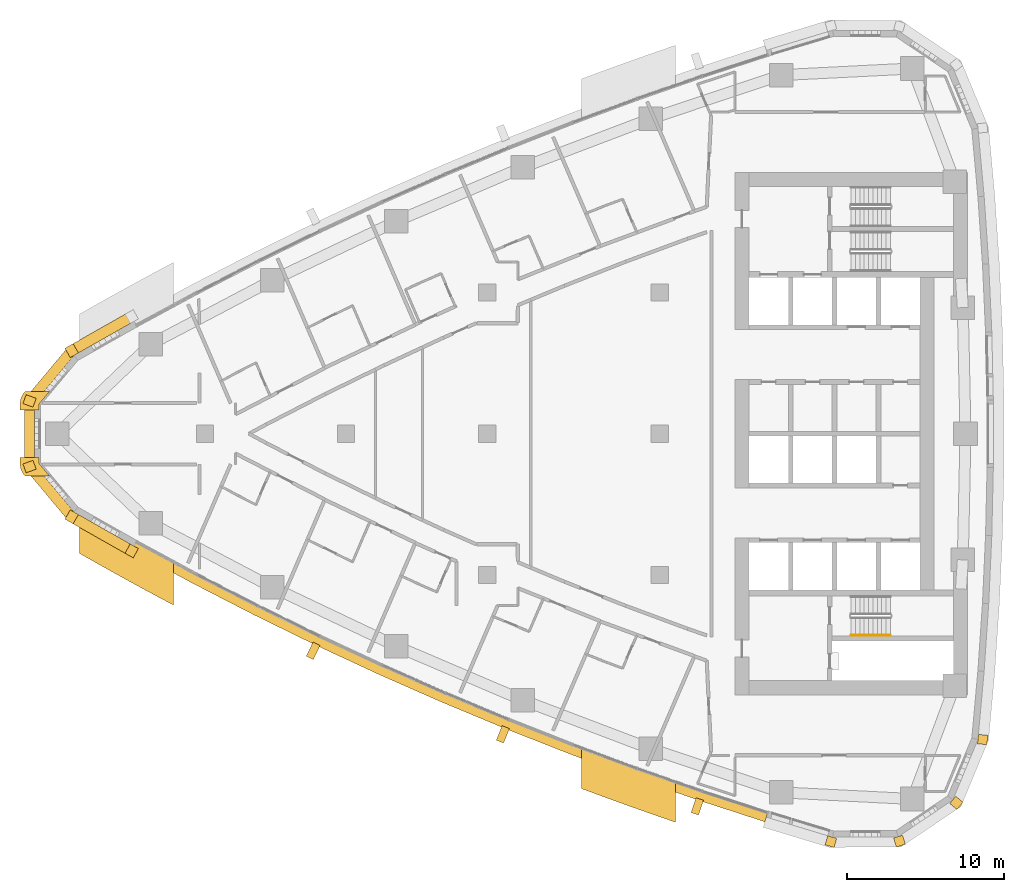
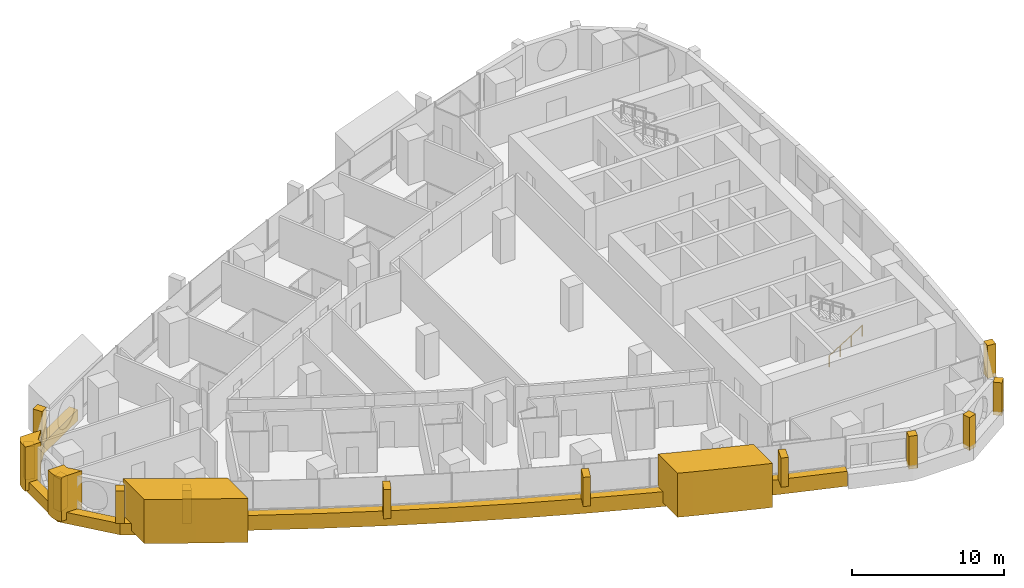
# One storey, part 14 of 17: 18 coverings, 1 railing.
"""IFC4 building model written with IfcOpenShell, lengths in metres."""

from ifc_helpers import new_model, si_unit, direction, frame, frame_2d, origin, origin_2d, place, context, subcontext, project, spatial, polyline, rectangle, circle, outline, extrude, material, layer, layer_set, type_object, element, save


model = new_model("IFC4")

# Units and contexts
model_context = context("Model", 3, precision=1e-05, world=origin(), true_north=direction((0.0, 1.0)))
body_context = subcontext(model_context, "Body", "Model", "MODEL_VIEW")
ifc_project = project(units=[si_unit("LENGTHUNIT", "METRE"), si_unit("AREAUNIT", "SQUARE_METRE"), si_unit("VOLUMEUNIT", "CUBIC_METRE"), si_unit("PLANEANGLEUNIT", "RADIAN"), si_unit("MASSUNIT", "GRAM", prefix="KILO")], contexts=[model_context])

# Site, building, storey
site_placement = place(None, origin())
site = spatial("IfcSite", under=ifc_project, at=site_placement, CompositionType="ELEMENT")
building_placement = place(site_placement, origin())
building = spatial("IfcBuilding", under=site, at=building_placement, Name="Ostrand Prow Hotel Tower", CompositionType="ELEMENT")
storey_placement = place(building_placement, frame((0.0, 0.0, 151.5)))
storey = spatial("IfcBuildingStorey", under=building, at=storey_placement, Name="L37", CompositionType="ELEMENT", Elevation=151.5)

# Coverings
ifc_material_1 = material(Name="Bronze anodised aluminium cladding", Category="aluminium")
ifc_layer_1 = layer(ifc_material_1, 0.60009765625)
ifc_layer_set_1 = layer_set([ifc_layer_1], Name="Bronze anodised aluminium cladding")
covering_type_1 = type_object("IfcCoveringType", Name="Bronze prow band 899x600", PredefinedType="CLADDING", material=ifc_layer_set_1)
covering_1_placement = place(storey_placement, frame((0.0, 0.0, -0.300048828125)))
element("IfcCovering", 1, at=covering_1_placement, inside=storey, type_object=covering_type_1, Name="Bronze prow band", PredefinedType="CLADDING", context=body_context, shape_type="SweptSolid", body=[
    extrude(outline(polyline([(11.16845703125, 7.766845703125), (7.335205078125, 5.594970703125), (4.5009765625, 2.208251953125), (4.5009765625, -2.208251953125), (7.335205078125, -5.594970703125), (11.16845703125, -7.766845703125), (11.497802734375, -7.171875), (7.676513671875, -5.006591796875), (5.14013671875, -1.97607421875), (5.14013671875, 1.97607421875), (7.676513671875, 5.006591796875), (11.497802734375, 7.171875), (11.16845703125, 7.766845703125)])), origin(), (0.0, 0.0, 1.0), 0.900146484375),
])
ifc_material_2 = material(Name="Bronze anodised aluminium cladding", Category="aluminium")
ifc_layer_2 = layer(ifc_material_2, 0.60009765625)
ifc_layer_set_2 = layer_set([ifc_layer_2], Name="Bronze anodised aluminium cladding")
covering_type_2 = type_object("IfcCoveringType", Name="Bronze spandrel band 1200x600", PredefinedType="CLADDING", material=ifc_layer_set_2)
covering_2_placement = place(storey_placement, frame((0.0, 0.0, -0.300048828125)))
element("IfcCovering", 2, at=covering_2_placement, inside=storey, type_object=covering_type_2, Name="Spandrel band S1", PredefinedType="CLADDING", context=body_context, shape_type="SweptSolid", body=[
    extrude(outline(polyline([(11.3466796875, -7.445068359375), (15.21630859375, -9.535888671875), (19.126953125, -11.548828125), (23.077392578125, -13.482666015625), (27.06591796875, -15.336669921875), (31.091064453125, -17.110107421875), (35.15087890625, -18.80224609375), (39.243896484375, -20.41259765625), (43.368408203125, -21.9404296875), (47.522705078125, -23.385009765625), (51.705322265625, -24.74560546875), (51.88525390625, -24.17333984375), (47.714111328125, -22.81640625), (43.571044921875, -21.375732421875), (39.457763671875, -19.85205078125), (35.376220703125, -18.24609375), (31.327392578125, -16.55859375), (27.3134765625, -14.7900390625), (23.335693359375, -12.941162109375), (19.396240234375, -11.0126953125), (15.49609375, -9.00537109375), (11.63720703125, -6.920166015625), (11.3466796875, -7.445068359375)])), origin(), (0.0, 0.0, 1.0), 1.199951171875),
])
ifc_material_3 = material(Name="Limestone cladding", Category="masonry")
ifc_layer_3 = layer(ifc_material_3, 5.0)
ifc_layer_set_3 = layer_set([ifc_layer_3], Name="Limestone cladding")
covering_type_3 = type_object("IfcCoveringType", Name="Portal jamb pilaster limestone", PredefinedType="CLADDING", material=ifc_layer_set_3)
covering_3_placement = place(storey_placement, origin())
element("IfcCovering", 3, at=covering_3_placement, inside=storey, type_object=covering_type_3, Name="Portal jamb SA L37", PredefinedType="CLADDING", context=body_context, shape_type="SweptSolid", body=[
    extrude(outline(polyline([(8.0, -4.861572265625), (8.0, -7.62939453125), (9.0, -8.1962890625), (10.0, -8.75634765625), (11.0, -9.3095703125), (12.0, -9.856201171875), (13.0, -10.39599609375), (14.0, -10.92919921875), (14.0, -8.208740234375), (13.0, -7.66796875), (12.0, -7.12060546875), (11.0, -6.566162109375), (10.0, -6.0048828125), (9.0, -5.436767578125), (8.0, -4.861572265625)])), origin(), (0.0, 0.0, 1.0), 3.550048828125),
])
covering_4_placement = place(storey_placement, origin())
element("IfcCovering", 4, at=covering_4_placement, inside=storey, type_object=covering_type_3, Name="Portal jamb SB L37", PredefinedType="CLADDING", context=body_context, shape_type="SweptSolid", body=[
    extrude(outline(polyline([(40.0, -20.058349609375), (40.0, -22.622802734375), (41.0, -22.994140625), (42.0, -23.360107421875), (43.0, -23.720458984375), (44.0, -24.075439453125), (45.0, -24.425048828125), (46.0, -24.769287109375), (46.0, -22.231689453125), (45.0, -21.883056640625), (44.0, -21.529296875), (43.0, -21.169921875), (42.0, -20.804931640625), (41.0, -20.434326171875), (40.0, -20.058349609375)])), origin(), (0.0, 0.0, 1.0), 3.550048828125),
])
ifc_material_4 = material(Name="Limestone cladding", Category="masonry")
ifc_layer_4 = layer(ifc_material_4, 0.5)
ifc_layer_set_4 = layer_set([ifc_layer_4], Name="Limestone cladding")
covering_type_4 = type_object("IfcCoveringType", Name="Precast stone fin 500x900", PredefinedType="CLADDING", material=ifc_layer_set_4)
covering_5_placement = place(storey_placement, frame((23.12060546875, -13.392333984375, 0.89990234375), z_axis=(0.0, 0.0, 1.0), x_axis=(-0.430634686673, -0.902526324621, 0.0)))
element("IfcCovering", 5, at=covering_5_placement, inside=storey, type_object=covering_type_4, Name="Stone fin S 4", PredefinedType="CLADDING", context=body_context, shape_type="SweptSolid", body=[
    extrude(rectangle(XDim=1.0, YDim=0.5, at=frame_2d((0.5, 0.0))), origin(), (0.0, 0.0, 1.0), 2.35009765625),
])
covering_6_placement = place(storey_placement, frame((35.188232421875, -18.709716796875, 0.89990234375), z_axis=(0.0, 0.0, 1.0), x_axis=(-0.375302653349, -0.926902324082, 0.0)))
element("IfcCovering", 6, at=covering_6_placement, inside=storey, type_object=covering_type_4, Name="Stone fin S 7", PredefinedType="CLADDING", context=body_context, shape_type="SweptSolid", body=[
    extrude(rectangle(XDim=0.999755859375, YDim=0.5, at=frame_2d((0.5, 0.0))), origin(), (0.0, 0.0, 1.0), 2.35009765625),
])
covering_7_placement = place(storey_placement, frame((47.5546875, -23.290283203125, 0.89990234375), z_axis=(0.0, 0.0, 1.0), x_axis=(-0.319082696504, -0.947726876685, 0.0)))
element("IfcCovering", 7, at=covering_7_placement, inside=storey, type_object=covering_type_4, Name="Stone fin S 10", PredefinedType="CLADDING", context=body_context, shape_type="SweptSolid", body=[
    extrude(rectangle(XDim=1.0, YDim=0.5, at=frame_2d((0.5, 0.0))), origin(), (0.0, 0.0, 1.0), 2.35009765625),
])
ifc_material_5 = material(Name="Limestone cladding", Category="masonry")
ifc_layer_5 = layer(ifc_material_5, 0.60009765625)
ifc_layer_set_5 = layer_set([ifc_layer_5], Name="Limestone cladding")
covering_type_5 = type_object("IfcCoveringType", Name="Precast stone prow rib 600x600", PredefinedType="CLADDING", material=ifc_layer_set_5)
covering_8_placement = place(storey_placement, frame((7.676513671875, 5.006591796875, 0.60009765625), z_axis=(0.0, 0.0, 1.0), x_axis=(-0.501771803437, 0.865000033107, 0.0)))
element("IfcCovering", 8, at=covering_8_placement, inside=storey, type_object=covering_type_5, Name="Stone prow rib 2", PredefinedType="CLADDING", context=body_context, shape_type="SweptSolid", body=[
    extrude(rectangle(XDim=0.68017578125, YDim=0.60009765625, at=frame_2d((0.340087890625, 0.0))), origin(), (0.0, 0.0, 1.0), 2.64990234375),
])
for number, where, z_axis, x_axis, name in (
    (9, (5.14013671875, 1.97607421875, 0.60009765625), (0.0, 0.0, 1.0), (-0.939908674991, 0.341425954896, 0.0), "Stone prow rib 3"),
    (10, (5.14013671875, -1.97607421875, 0.60009765625), (0.0, 0.0, 1.0), (-0.939908674991, -0.341425954896, 0.0), "Stone prow rib 4"),
):
    element("IfcCovering", number, at=place(storey_placement, frame(where, z_axis=z_axis, x_axis=x_axis)), inside=storey, type_object=covering_type_5, Name=name, PredefinedType="CLADDING", context=body_context, shape_type="SweptSolid", body=[
        extrude(rectangle(XDim=0.679931640625, YDim=0.60009765625, at=frame_2d((0.33984375, 0.0))), origin(), (0.0, 0.0, 1.0), 2.64990234375),
    ])
covering_9_placement = place(storey_placement, frame((7.676513671875, -5.006591796875, 0.60009765625), z_axis=(0.0, 0.0, 1.0), x_axis=(-0.501771803437, -0.865000033107, 0.0)))
element("IfcCovering", 11, at=covering_9_placement, inside=storey, type_object=covering_type_5, Name="Stone prow rib 5", PredefinedType="CLADDING", context=body_context, shape_type="SweptSolid", body=[
    extrude(rectangle(XDim=0.68017578125, YDim=0.60009765625, at=frame_2d((0.340087890625, 0.0))), origin(), (0.0, 0.0, 1.0), 2.64990234375),
])
covering_10_placement = place(storey_placement, frame((11.497802734375, -7.171875, 0.60009765625), z_axis=(0.0, 0.0, 1.0), x_axis=(-0.484301161624, -0.874901357211, 0.0)))
element("IfcCovering", 12, at=covering_10_placement, inside=storey, type_object=covering_type_5, Name="Stone prow rib 6", PredefinedType="CLADDING", context=body_context, shape_type="SweptSolid", body=[
    extrude(rectangle(XDim=0.679931640625, YDim=0.60009765625, at=frame_2d((0.33984375, 0.0))), origin(), (0.0, 0.0, 1.0), 2.64990234375),
])
covering_11_placement = place(storey_placement, frame((56.001953125, -25.722412109375, 0.60009765625), z_axis=(0.0, 0.0, 1.0), x_axis=(-0.280734221166, -0.959785547436, 0.0)))
element("IfcCovering", 13, at=covering_11_placement, inside=storey, type_object=covering_type_5, Name="Stone corner rib 2a", PredefinedType="CLADDING", context=body_context, shape_type="SweptSolid", body=[
    extrude(rectangle(XDim=0.60009765625, YDim=0.60009765625, at=frame_2d((0.300048828125, 0.0))), origin(), (0.0, 0.0, 1.0), 2.64990234375),
])
for number, where, z_axis, x_axis, name in (
    (14, (60.201171875, -25.689697265625, 0.60009765625), (0.0, 0.0, 1.0), (0.295515682615, -0.955337888565, 0.0), "Stone corner rib 3a"),
    (15, (63.68505859375, -23.34521484375, 0.60009765625), (0.0, 0.0, 1.0), (0.773830327772, -0.633392945825, 0.0), "Stone corner rib 4a"),
):
    element("IfcCovering", number, at=place(storey_placement, frame(where, z_axis=z_axis, x_axis=x_axis)), inside=storey, type_object=covering_type_5, Name=name, PredefinedType="CLADDING", context=body_context, shape_type="SweptSolid", body=[
        extrude(rectangle(XDim=0.599853515625, YDim=0.60009765625, at=frame_2d((0.2998046875, 0.0))), origin(), (0.0, 0.0, 1.0), 2.64990234375),
    ])
covering_12_placement = place(storey_placement, frame((65.296875, -19.467529296875, 0.60009765625), z_axis=(0.0, 0.0, 1.0), x_axis=(0.994854249607, -0.101316445052, 0.0)))
element("IfcCovering", 16, at=covering_12_placement, inside=storey, type_object=covering_type_5, Name="Stone corner rib 4b", PredefinedType="CLADDING", context=body_context, shape_type="SweptSolid", body=[
    extrude(rectangle(XDim=0.60009765625, YDim=0.60009765625, at=frame_2d((0.300048828125, 0.0))), origin(), (0.0, 0.0, 1.0), 2.64990234375),
])
ifc_material_6 = material(Name="Limestone cladding", Category="masonry")
ifc_layer_6 = layer(ifc_material_6, 3.0)
ifc_layer_set_6 = layer_set([ifc_layer_6], Name="Limestone cladding")
covering_type_6 = type_object("IfcCoveringType", Name="Prow nose pier limestone", PredefinedType="CLADDING", material=ifc_layer_set_6)
covering_13_placement = place(storey_placement, origin())
element("IfcCovering", 17, at=covering_13_placement, inside=storey, type_object=covering_type_6, Name="Prow spine fin N L37", PredefinedType="CLADDING", context=body_context, shape_type="SweptSolid", body=[
    extrude(outline(polyline([(4.210693359375, 1.877685546875), (4.210693359375, 1.5), (5.41064453125, 1.5), (5.41064453125, 1.877685546875), (6.098876953125, 2.699951171875), (4.533935546875, 2.699951171875), (4.490478515625, 2.64794921875), (4.41845703125, 2.552490234375), (4.356201171875, 2.45068359375), (4.304443359375, 2.343017578125), (4.263916015625, 2.230712890625), (4.234375, 2.114990234375), (4.216552734375, 1.9970703125), (4.210693359375, 1.877685546875)])), origin(), (0.0, 0.0, 1.0), 3.550048828125),
])
covering_14_placement = place(storey_placement, origin())
element("IfcCovering", 18, at=covering_14_placement, inside=storey, type_object=covering_type_6, Name="Prow spine fin S L37", PredefinedType="CLADDING", context=body_context, shape_type="SweptSolid", body=[
    extrude(outline(polyline([(4.490478515625, -2.64794921875), (4.533935546875, -2.699951171875), (6.098876953125, -2.699951171875), (5.41064453125, -1.877685546875), (5.41064453125, -1.5), (4.210693359375, -1.5), (4.210693359375, -1.877685546875), (4.216552734375, -1.9970703125), (4.234375, -2.114990234375), (4.263916015625, -2.230712890625), (4.304443359375, -2.343017578125), (4.356201171875, -2.45068359375), (4.41845703125, -2.552490234375), (4.490478515625, -2.64794921875)])), origin(), (0.0, 0.0, 1.0), 3.550048828125),
])

# Railing
ifc_material_7 = material(Name="Stainless steel", Category="steel")
railing_type = type_object("IfcRailingType", Name="Stair handrail 900", PredefinedType="HANDRAIL", material=ifc_material_7)
railing_placement = place(storey_placement, frame((57.199951171875, -12.85009765625, 0.177490234375)))
element("IfcRailing", 19, at=railing_placement, inside=storey, type_object=railing_type, Name="L37 ST2C stair handrail 1", PredefinedType="HANDRAIL", context=body_context, shape_type="SweptSolid", body=[
    extrude(circle(Radius=0.02392578125, at=origin_2d()), frame((0.0, 0.0, 0.8759765625), z_axis=(0.84460694969, 0.0, 0.535386869969), x_axis=(0.0, 1.0, 0.0)), (0.0, 0.0, 1.0), 2.983642578125),
    extrude(circle(Radius=0.02099609375, at=origin_2d()), origin(), (0.0, 0.0, 1.0), 0.851806640625),
    extrude(circle(Radius=0.02099609375, at=origin_2d()), frame((0.840087890625, 0.0, 0.532470703125)), (0.0, 0.0, 1.0), 0.851806640625),
    extrude(circle(Radius=0.02099609375, at=origin_2d()), frame((1.679931640625, 0.0, 1.06494140625)), (0.0, 0.0, 1.0), 0.851806640625),
    extrude(circle(Radius=0.02099609375, at=origin_2d()), frame((2.52001953125, 0.0, 1.597412109375)), (0.0, 0.0, 1.0), 0.851806640625),
])

save(model, "model.ifc")
